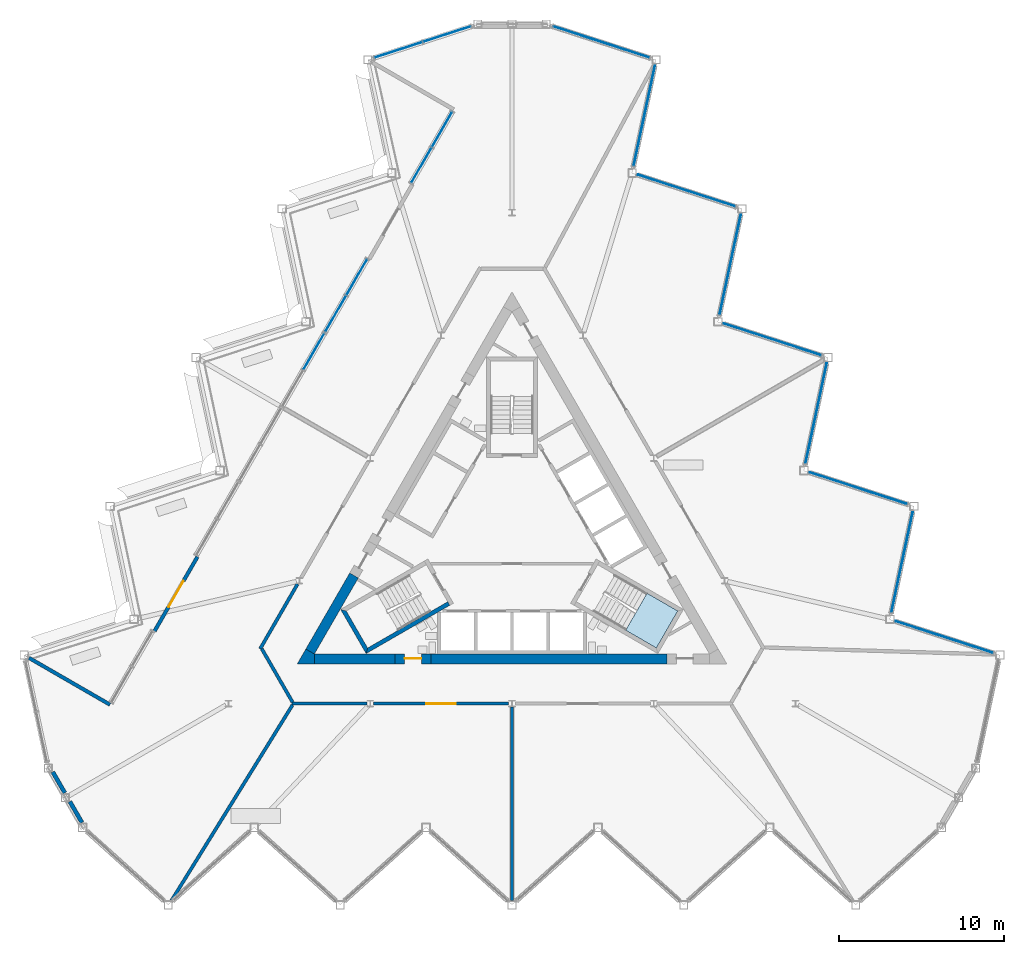
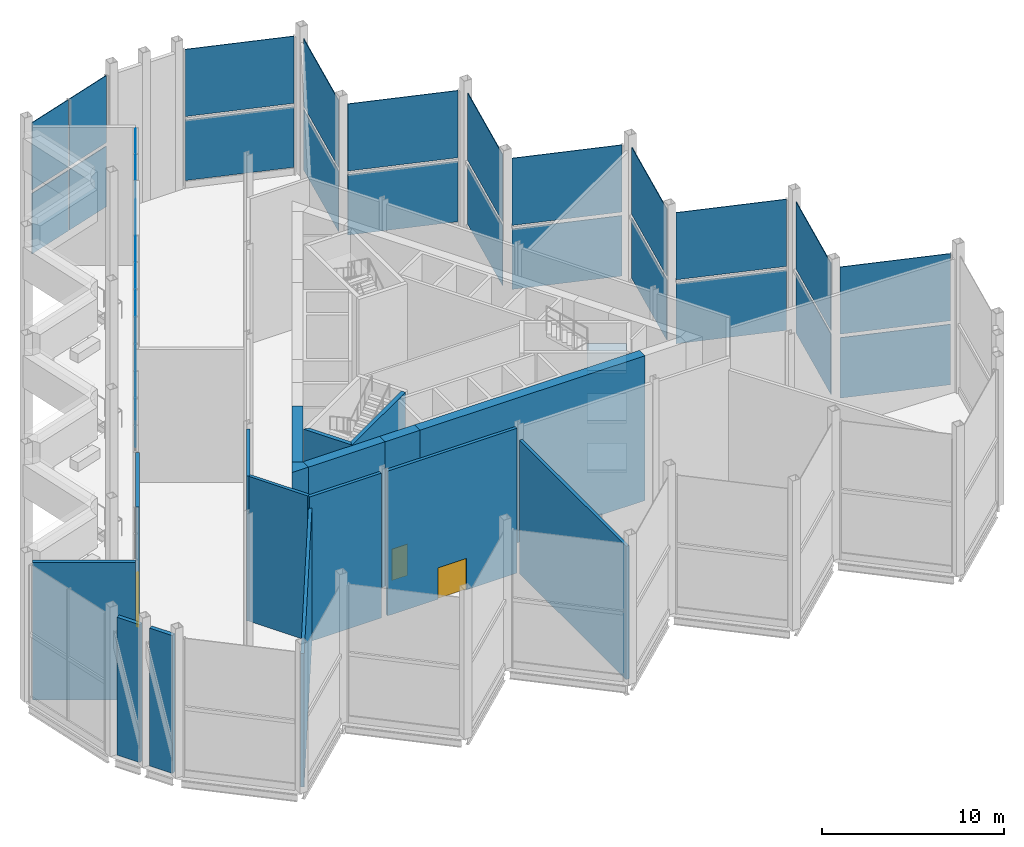
# One storey, part 8 of 18: 32 plates, 17 walls, 3 doors, 3 slabs, 3 openings, 6 elements without a shape of their own.
"""IFC4 building model written with IfcOpenShell, lengths in metres."""

from ifc_helpers import new_model, si_unit, direction, frame, frame_2d, origin, origin_2d, place, context, subcontext, project, spatial, polyline, rectangle, outline, extrude, material, layer, layer_set, type_object, element, fill, aggregate, save


model = new_model("IFC4")

# Units and contexts
model_context = context("Model", 3, precision=1e-05, world=origin(), true_north=direction((0.0, 1.0)))
body_context = subcontext(model_context, "Body", "Model", "MODEL_VIEW")
ifc_project = project(units=[si_unit("LENGTHUNIT", "METRE"), si_unit("AREAUNIT", "SQUARE_METRE"), si_unit("VOLUMEUNIT", "CUBIC_METRE"), si_unit("PLANEANGLEUNIT", "RADIAN"), si_unit("MASSUNIT", "GRAM", prefix="KILO")], contexts=[model_context])

# Site, building, storey
site_placement = place(None, origin())
site = spatial("IfcSite", under=ifc_project, at=site_placement, CompositionType="ELEMENT")
building_placement = place(site_placement, origin())
building = spatial("IfcBuilding", under=site, at=building_placement, Name="Cormorant Prow Tower", CompositionType="ELEMENT")
storey_placement = place(building_placement, frame((0.0, 0.0, 405.199951171875)))
storey = spatial("IfcBuildingStorey", under=building, at=storey_placement, Name="L93", CompositionType="ELEMENT", Elevation=405.199951171875)

# Curtain wall, plates
ifc_material_1 = material(Name="Aluminium 6063-T6", Category="aluminium")
ifc_layer_1 = layer(ifc_material_1, 0.300048828125)
ifc_layer_set_1 = layer_set([ifc_layer_1], Name="Aluminium 6063-T6")
curtain_wall_type = type_object("IfcCurtainWallType", Name="Sky lobby unitised curtain wall 300", PredefinedType="NOTDEFINED", material=ifc_layer_set_1)
curtain_wall_1_placement = place(storey_placement, origin())
curtain_wall_1 = element("IfcCurtainWall", 1, at=curtain_wall_1_placement, inside=storey, type_object=curtain_wall_type, Name="Sky lobby curtain wall ENE00-ENE09", PredefinedType="NOTDEFINED")
ifc_material_2 = material(Name="Clear glass", Category="glass")
ifc_layer_2 = layer(ifc_material_2, 0.0439453125)
ifc_layer_set_2 = layer_set([ifc_layer_2], Name="Clear glass")
plate_type = type_object("IfcPlateType", Name="Sky lobby glass panel 44", PredefinedType="CURTAIN_PANEL", material=ifc_layer_set_2)
plate_1_placement = place(storey_placement, frame((26.1630859375, -5.8759765625, 0.4501953125), z_axis=(0.0, 0.0, 1.0), x_axis=(-0.951056534902, 0.309016937108, 0.0)))
plate_1 = element("IfcPlate", 2, at=plate_1_placement, type_object=plate_type, Name="Sky lobby glass panel ENE00-ENE09", PredefinedType="CURTAIN_PANEL", context=body_context, shape_type="SweptSolid", body=[
    extrude(rectangle(XDim=6.185302734375, YDim=0.0439453125, at=origin_2d()), origin(), (0.0, 0.0, 1.0), 4.047119140625),
])
plate_2_placement = place(storey_placement, frame((26.1630859375, -5.8759765625, 4.7373046875), z_axis=(0.0, 0.0, 1.0), x_axis=(-0.951056534902, 0.309016937108, 0.0)))
plate_2 = element("IfcPlate", 3, at=plate_2_placement, type_object=plate_type, Name="Sky lobby glass panel ENE00-ENE09", PredefinedType="CURTAIN_PANEL", context=body_context, shape_type="SweptSolid", body=[
    extrude(rectangle(XDim=6.185302734375, YDim=0.0439453125, at=origin_2d()), origin(), (0.0, 0.0, 1.0), 4.496826171875),
])
plate_3_placement = place(storey_placement, frame((23.609619140625, -1.345703125, 0.4501953125), z_axis=(0.0, 0.0, 1.0), x_axis=(0.207911620089, 0.978147615768, 0.0)))
plate_3 = element("IfcPlate", 4, at=plate_3_placement, type_object=plate_type, Name="Sky lobby glass panel ENE00-ENE09", PredefinedType="CURTAIN_PANEL", context=body_context, shape_type="SweptSolid", body=[
    extrude(rectangle(XDim=6.185302734375, YDim=0.0439453125, at=origin_2d()), origin(), (0.0, 0.0, 1.0), 4.047119140625),
])
plate_4_placement = place(storey_placement, frame((23.609619140625, -1.345703125, 4.7373046875), z_axis=(0.0, 0.0, 1.0), x_axis=(0.207911620089, 0.978147615768, 0.0)))
plate_4 = element("IfcPlate", 5, at=plate_4_placement, type_object=plate_type, Name="Sky lobby glass panel ENE00-ENE09", PredefinedType="CURTAIN_PANEL", context=body_context, shape_type="SweptSolid", body=[
    extrude(rectangle(XDim=6.185302734375, YDim=0.0439453125, at=origin_2d()), origin(), (0.0, 0.0, 1.0), 4.496826171875),
])
plate_5_placement = place(storey_placement, frame((20.963134765625, 3.130859375, 0.4501953125), z_axis=(0.0, 0.0, 1.0), x_axis=(-0.951056492904, 0.309017066365, 0.0)))
plate_5 = element("IfcPlate", 6, at=plate_5_placement, type_object=plate_type, Name="Sky lobby glass panel ENE00-ENE09", PredefinedType="CURTAIN_PANEL", context=body_context, shape_type="SweptSolid", body=[
    extrude(rectangle(XDim=6.185302734375, YDim=0.0439453125, at=origin_2d()), origin(), (0.0, 0.0, 1.0), 4.047119140625),
])
plate_6_placement = place(storey_placement, frame((20.963134765625, 3.130859375, 4.7373046875), z_axis=(0.0, 0.0, 1.0), x_axis=(-0.951056492904, 0.309017066365, 0.0)))
plate_6 = element("IfcPlate", 7, at=plate_6_placement, type_object=plate_type, Name="Sky lobby glass panel ENE00-ENE09", PredefinedType="CURTAIN_PANEL", context=body_context, shape_type="SweptSolid", body=[
    extrude(rectangle(XDim=6.185302734375, YDim=0.0439453125, at=origin_2d()), origin(), (0.0, 0.0, 1.0), 4.496826171875),
])
plate_7_placement = place(storey_placement, frame((18.409423828125, 7.660888671875, 0.4501953125), z_axis=(0.0, 0.0, 1.0), x_axis=(0.207911649162, 0.978147609588, 0.0)))
plate_7 = element("IfcPlate", 8, at=plate_7_placement, type_object=plate_type, Name="Sky lobby glass panel ENE00-ENE09", PredefinedType="CURTAIN_PANEL", context=body_context, shape_type="SweptSolid", body=[
    extrude(rectangle(XDim=6.185302734375, YDim=0.0439453125, at=origin_2d()), origin(), (0.0, 0.0, 1.0), 4.047119140625),
])
plate_8_placement = place(storey_placement, frame((18.409423828125, 7.660888671875, 4.7373046875), z_axis=(0.0, 0.0, 1.0), x_axis=(0.207911649162, 0.978147609588, 0.0)))
plate_8 = element("IfcPlate", 9, at=plate_8_placement, type_object=plate_type, Name="Sky lobby glass panel ENE00-ENE09", PredefinedType="CURTAIN_PANEL", context=body_context, shape_type="SweptSolid", body=[
    extrude(rectangle(XDim=6.185302734375, YDim=0.0439453125, at=origin_2d()), origin(), (0.0, 0.0, 1.0), 4.496826171875),
])
plate_9_placement = place(storey_placement, frame((15.76318359375, 12.137451171875, 0.4501953125), z_axis=(0.0, 0.0, 1.0), x_axis=(-0.951056492904, 0.309017066365, 0.0)))
plate_9 = element("IfcPlate", 10, at=plate_9_placement, type_object=plate_type, Name="Sky lobby glass panel ENE00-ENE09", PredefinedType="CURTAIN_PANEL", context=body_context, shape_type="SweptSolid", body=[
    extrude(rectangle(XDim=6.185302734375, YDim=0.0439453125, at=origin_2d()), origin(), (0.0, 0.0, 1.0), 4.047119140625),
])
plate_10_placement = place(storey_placement, frame((15.76318359375, 12.137451171875, 4.7373046875), z_axis=(0.0, 0.0, 1.0), x_axis=(-0.951056492904, 0.309017066365, 0.0)))
plate_10 = element("IfcPlate", 11, at=plate_10_placement, type_object=plate_type, Name="Sky lobby glass panel ENE00-ENE09", PredefinedType="CURTAIN_PANEL", context=body_context, shape_type="SweptSolid", body=[
    extrude(rectangle(XDim=6.185302734375, YDim=0.0439453125, at=origin_2d()), origin(), (0.0, 0.0, 1.0), 4.496826171875),
])
plate_11_placement = place(storey_placement, frame((13.20947265625, 16.66748046875, 0.4501953125), z_axis=(0.0, 0.0, 1.0), x_axis=(0.207911620089, 0.978147615768, 0.0)))
plate_11 = element("IfcPlate", 12, at=plate_11_placement, type_object=plate_type, Name="Sky lobby glass panel ENE00-ENE09", PredefinedType="CURTAIN_PANEL", context=body_context, shape_type="SweptSolid", body=[
    extrude(rectangle(XDim=6.185302734375, YDim=0.0439453125, at=origin_2d()), origin(), (0.0, 0.0, 1.0), 4.047119140625),
])
plate_12_placement = place(storey_placement, frame((13.20947265625, 16.66748046875, 4.7373046875), z_axis=(0.0, 0.0, 1.0), x_axis=(0.207911620089, 0.978147615768, 0.0)))
plate_12 = element("IfcPlate", 13, at=plate_12_placement, type_object=plate_type, Name="Sky lobby glass panel ENE00-ENE09", PredefinedType="CURTAIN_PANEL", context=body_context, shape_type="SweptSolid", body=[
    extrude(rectangle(XDim=6.185302734375, YDim=0.0439453125, at=origin_2d()), origin(), (0.0, 0.0, 1.0), 4.496826171875),
])
plate_13_placement = place(storey_placement, frame((10.563232421875, 21.14404296875, 0.4501953125), z_axis=(0.0, 0.0, 1.0), x_axis=(-0.951056534902, 0.309016937108, 0.0)))
plate_13 = element("IfcPlate", 14, at=plate_13_placement, type_object=plate_type, Name="Sky lobby glass panel ENE00-ENE09", PredefinedType="CURTAIN_PANEL", context=body_context, shape_type="SweptSolid", body=[
    extrude(rectangle(XDim=6.185302734375, YDim=0.0439453125, at=origin_2d()), origin(), (0.0, 0.0, 1.0), 4.047119140625),
])
plate_14_placement = place(storey_placement, frame((10.563232421875, 21.14404296875, 4.7373046875), z_axis=(0.0, 0.0, 1.0), x_axis=(-0.951056534902, 0.309016937108, 0.0)))
plate_14 = element("IfcPlate", 15, at=plate_14_placement, type_object=plate_type, Name="Sky lobby glass panel ENE00-ENE09", PredefinedType="CURTAIN_PANEL", context=body_context, shape_type="SweptSolid", body=[
    extrude(rectangle(XDim=6.185302734375, YDim=0.0439453125, at=origin_2d()), origin(), (0.0, 0.0, 1.0), 4.496826171875),
])
plate_15_placement = place(storey_placement, frame((8.009521484375, 25.674072265625, 0.4501953125), z_axis=(0.0, 0.0, 1.0), x_axis=(0.207911620089, 0.978147615768, 0.0)))
plate_15 = element("IfcPlate", 16, at=plate_15_placement, type_object=plate_type, Name="Sky lobby glass panel ENE00-ENE09", PredefinedType="CURTAIN_PANEL", context=body_context, shape_type="SweptSolid", body=[
    extrude(rectangle(XDim=6.185302734375, YDim=0.0439453125, at=origin_2d()), origin(), (0.0, 0.0, 1.0), 4.047119140625),
])
plate_16_placement = place(storey_placement, frame((8.009521484375, 25.674072265625, 4.7373046875), z_axis=(0.0, 0.0, 1.0), x_axis=(0.207911620089, 0.978147615768, 0.0)))
plate_16 = element("IfcPlate", 17, at=plate_16_placement, type_object=plate_type, Name="Sky lobby glass panel ENE00-ENE09", PredefinedType="CURTAIN_PANEL", context=body_context, shape_type="SweptSolid", body=[
    extrude(rectangle(XDim=6.185302734375, YDim=0.0439453125, at=origin_2d()), origin(), (0.0, 0.0, 1.0), 4.496826171875),
])
plate_17_placement = place(storey_placement, frame((5.401123046875, 30.138427734375, 0.4501953125), z_axis=(0.0, 0.0, 1.0), x_axis=(-0.951056492904, 0.309017066365, 0.0)))
plate_17 = element("IfcPlate", 18, at=plate_17_placement, type_object=plate_type, Name="Sky lobby glass panel ENE00-ENE09", PredefinedType="CURTAIN_PANEL", context=body_context, shape_type="SweptSolid", body=[
    extrude(rectangle(XDim=6.105224609375, YDim=0.0439453125, at=origin_2d()), origin(), (0.0, 0.0, 1.0), 4.047119140625),
])
plate_18_placement = place(storey_placement, frame((5.401123046875, 30.138427734375, 4.7373046875), z_axis=(0.0, 0.0, 1.0), x_axis=(-0.951056492904, 0.309017066365, 0.0)))
plate_18 = element("IfcPlate", 19, at=plate_18_placement, type_object=plate_type, Name="Sky lobby glass panel ENE00-ENE09", PredefinedType="CURTAIN_PANEL", context=body_context, shape_type="SweptSolid", body=[
    extrude(rectangle(XDim=6.105224609375, YDim=0.0439453125, at=origin_2d()), origin(), (0.0, 0.0, 1.0), 4.496826171875),
])
aggregate(curtain_wall_1, [plate_1, plate_2, plate_3, plate_4, plate_5, plate_6, plate_7, plate_8, plate_9, plate_10, plate_11, plate_12, plate_13, plate_14, plate_15, plate_16, plate_17, plate_18])

curtain_wall_2_placement = place(storey_placement, origin())
curtain_wall_2 = element("IfcCurtainWall", 20, at=curtain_wall_2_placement, inside=storey, type_object=curtain_wall_type, Name="Sky lobby curtain wall WNW00", PredefinedType="NOTDEFINED")
plate_19_placement = place(storey_placement, frame((-3.9306640625, 30.6162109375, 0.4501953125), z_axis=(0.0, 0.0, 1.0), x_axis=(-0.951056492904, -0.309017066365, 0.0)))
plate_19 = element("IfcPlate", 21, at=plate_19_placement, type_object=plate_type, Name="Sky lobby glass panel WNW00", PredefinedType="CURTAIN_PANEL", context=body_context, shape_type="SweptSolid", body=[
    extrude(rectangle(XDim=3.0126953125, YDim=0.0439453125, at=origin_2d()), origin(), (0.0, 0.0, 1.0), 4.047119140625),
])
plate_20_placement = place(storey_placement, frame((-6.871826171875, 29.66064453125, 0.4501953125), z_axis=(0.0, 0.0, 1.0), x_axis=(-0.951056492904, -0.309017066365, 0.0)))
plate_20 = element("IfcPlate", 22, at=plate_20_placement, type_object=plate_type, Name="Sky lobby glass panel WNW00", PredefinedType="CURTAIN_PANEL", context=body_context, shape_type="SweptSolid", body=[
    extrude(rectangle(XDim=3.0126953125, YDim=0.0439453125, at=origin_2d()), origin(), (0.0, 0.0, 1.0), 4.047119140625),
])
plate_21_placement = place(storey_placement, frame((-3.9306640625, 30.6162109375, 4.7373046875), z_axis=(0.0, 0.0, 1.0), x_axis=(-0.951056492904, -0.309017066365, 0.0)))
plate_21 = element("IfcPlate", 23, at=plate_21_placement, type_object=plate_type, Name="Sky lobby glass panel WNW00", PredefinedType="CURTAIN_PANEL", context=body_context, shape_type="SweptSolid", body=[
    extrude(rectangle(XDim=3.0126953125, YDim=0.0439453125, at=origin_2d()), origin(), (0.0, 0.0, 1.0), 4.496826171875),
])
plate_22_placement = place(storey_placement, frame((-6.871826171875, 29.66064453125, 4.7373046875), z_axis=(0.0, 0.0, 1.0), x_axis=(-0.951056492904, -0.309017066365, 0.0)))
plate_22 = element("IfcPlate", 24, at=plate_22_placement, type_object=plate_type, Name="Sky lobby glass panel WNW00", PredefinedType="CURTAIN_PANEL", context=body_context, shape_type="SweptSolid", body=[
    extrude(rectangle(XDim=3.0126953125, YDim=0.0439453125, at=origin_2d()), origin(), (0.0, 0.0, 1.0), 4.496826171875),
])
aggregate(curtain_wall_2, [plate_19, plate_20, plate_21, plate_22])

curtain_wall_3_placement = place(storey_placement, origin())
curtain_wall_3 = element("IfcCurtainWall", 25, at=curtain_wall_3_placement, inside=storey, type_object=curtain_wall_type, Name="Sky lobby curtain wall loggia WNW01", PredefinedType="NOTDEFINED")
plate_23_placement = place(storey_placement, frame((-4.233642578125, 24.842529296875, 0.4501953125), z_axis=(0.0, 0.0, 1.0), x_axis=(-0.499999991641, -0.86602540861, 0.0)))
plate_23 = element("IfcPlate", 26, at=plate_23_placement, type_object=plate_type, Name="Sky lobby glass panel loggia WNW01", PredefinedType="CURTAIN_PANEL", context=body_context, shape_type="SweptSolid", body=[
    extrude(rectangle(XDim=2.425048828125, YDim=0.0439453125, at=origin_2d()), origin(), (0.0, 0.0, 1.0), 4.047119140625),
])
plate_24_placement = place(storey_placement, frame((-5.486328125, 22.67333984375, 0.4501953125), z_axis=(0.0, 0.0, 1.0), x_axis=(-0.499999991641, -0.86602540861, 0.0)))
plate_24 = element("IfcPlate", 27, at=plate_24_placement, type_object=plate_type, Name="Sky lobby glass panel loggia WNW01", PredefinedType="CURTAIN_PANEL", context=body_context, shape_type="SweptSolid", body=[
    extrude(rectangle(XDim=2.425048828125, YDim=0.0439453125, at=origin_2d()), origin(), (0.0, 0.0, 1.0), 4.047119140625),
])
plate_25_placement = place(storey_placement, frame((-4.233642578125, 24.842529296875, 4.7373046875), z_axis=(0.0, 0.0, 1.0), x_axis=(-0.499999991641, -0.86602540861, 0.0)))
plate_25 = element("IfcPlate", 28, at=plate_25_placement, type_object=plate_type, Name="Sky lobby glass panel loggia WNW01", PredefinedType="CURTAIN_PANEL", context=body_context, shape_type="SweptSolid", body=[
    extrude(rectangle(XDim=2.425048828125, YDim=0.0439453125, at=origin_2d()), origin(), (0.0, 0.0, 1.0), 4.496826171875),
])
plate_26_placement = place(storey_placement, frame((-5.486328125, 22.67333984375, 4.7373046875), z_axis=(0.0, 0.0, 1.0), x_axis=(-0.499999991641, -0.86602540861, 0.0)))
plate_26 = element("IfcPlate", 29, at=plate_26_placement, type_object=plate_type, Name="Sky lobby glass panel loggia WNW01", PredefinedType="CURTAIN_PANEL", context=body_context, shape_type="SweptSolid", body=[
    extrude(rectangle(XDim=2.425048828125, YDim=0.0439453125, at=origin_2d()), origin(), (0.0, 0.0, 1.0), 4.496826171875),
])
aggregate(curtain_wall_3, [plate_23, plate_24, plate_25, plate_26])

curtain_wall_4_placement = place(storey_placement, origin())
curtain_wall_4 = element("IfcCurtainWall", 30, at=curtain_wall_4_placement, inside=storey, type_object=curtain_wall_type, Name="Sky lobby curtain wall loggia WNW03", PredefinedType="NOTDEFINED")
plate_27_placement = place(storey_placement, frame((-9.392578125, 15.907470703125, 0.4501953125), z_axis=(0.0, 0.0, 1.0), x_axis=(-0.499999991641, -0.86602540861, 0.0)))
plate_27 = element("IfcPlate", 31, at=plate_27_placement, type_object=plate_type, Name="Sky lobby glass panel loggia WNW03", PredefinedType="CURTAIN_PANEL", context=body_context, shape_type="SweptSolid", body=[
    extrude(rectangle(XDim=2.47998046875, YDim=0.0439453125, at=origin_2d()), origin(), (0.0, 0.0, 1.0), 4.047119140625),
])
plate_28_placement = place(storey_placement, frame((-10.67236328125, 13.6904296875, 0.4501953125), z_axis=(0.0, 0.0, 1.0), x_axis=(-0.499999991641, -0.86602540861, 0.0)))
plate_28 = element("IfcPlate", 32, at=plate_28_placement, type_object=plate_type, Name="Sky lobby glass panel loggia WNW03", PredefinedType="CURTAIN_PANEL", context=body_context, shape_type="SweptSolid", body=[
    extrude(rectangle(XDim=2.47998046875, YDim=0.0439453125, at=origin_2d()), origin(), (0.0, 0.0, 1.0), 4.047119140625),
])
plate_29_placement = place(storey_placement, frame((-9.392578125, 15.907470703125, 4.7373046875), z_axis=(0.0, 0.0, 1.0), x_axis=(-0.499999991641, -0.86602540861, 0.0)))
plate_29 = element("IfcPlate", 33, at=plate_29_placement, type_object=plate_type, Name="Sky lobby glass panel loggia WNW03", PredefinedType="CURTAIN_PANEL", context=body_context, shape_type="SweptSolid", body=[
    extrude(rectangle(XDim=2.47998046875, YDim=0.0439453125, at=origin_2d()), origin(), (0.0, 0.0, 1.0), 4.496826171875),
])
plate_30_placement = place(storey_placement, frame((-10.67236328125, 13.6904296875, 4.7373046875), z_axis=(0.0, 0.0, 1.0), x_axis=(-0.499999991641, -0.86602540861, 0.0)))
plate_30 = element("IfcPlate", 34, at=plate_30_placement, type_object=plate_type, Name="Sky lobby glass panel loggia WNW03", PredefinedType="CURTAIN_PANEL", context=body_context, shape_type="SweptSolid", body=[
    extrude(rectangle(XDim=2.47998046875, YDim=0.0439453125, at=origin_2d()), origin(), (0.0, 0.0, 1.0), 4.496826171875),
])
aggregate(curtain_wall_4, [plate_27, plate_28, plate_29, plate_30])

curtain_wall_5_placement = place(storey_placement, origin())
curtain_wall_5 = element("IfcCurtainWall", 35, at=curtain_wall_5_placement, inside=storey, type_object=curtain_wall_type, Name="Sky lobby curtain wall loggia WNW04", PredefinedType="NOTDEFINED")
plate_31_placement = place(storey_placement, frame((-11.992431640625, 11.404052734375, 0.4501953125), z_axis=(0.0, 0.0, 1.0), x_axis=(-0.499999991641, -0.86602540861, 0.0)))
plate_31 = element("IfcPlate", 36, at=plate_31_placement, type_object=plate_type, Name="Sky lobby glass panel loggia WNW04", PredefinedType="CURTAIN_PANEL", context=body_context, shape_type="SweptSolid", body=[
    extrude(rectangle(XDim=2.47998046875, YDim=0.0439453125, at=origin_2d()), origin(), (0.0, 0.0, 1.0), 4.047119140625),
])
plate_32_placement = place(storey_placement, frame((-11.992431640625, 11.404052734375, 4.7373046875), z_axis=(0.0, 0.0, 1.0), x_axis=(-0.499999991641, -0.86602540861, 0.0)))
plate_32 = element("IfcPlate", 37, at=plate_32_placement, type_object=plate_type, Name="Sky lobby glass panel loggia WNW04", PredefinedType="CURTAIN_PANEL", context=body_context, shape_type="SweptSolid", body=[
    extrude(rectangle(XDim=2.47998046875, YDim=0.0439453125, at=origin_2d()), origin(), (0.0, 0.0, 1.0), 4.496826171875),
])
aggregate(curtain_wall_5, [plate_31, plate_32])

# Stair, slabs
ifc_material_3 = material(Name="Exit stair 54 risers")
stair_type = type_object("IfcStairType", Name="Exit stair 54 risers", PredefinedType="HALF_TURN_STAIR", material=ifc_material_3)
stair_placement = place(storey_placement, origin())
stair = element("IfcStair", 38, at=stair_placement, inside=storey, type_object=stair_type, Name="L93 Exit stair ST2", PredefinedType="HALF_TURN_STAIR")
ifc_material_4 = material(Name="Concrete 5000 psi", Category="concrete")
ifc_layer_3 = layer(ifc_material_4, 0.199951171875)
ifc_layer_set_3 = layer_set([ifc_layer_3], Name="Concrete 5000 psi")
slab_type = type_object("IfcSlabType", Name="Stair landing 200", PredefinedType="LANDING", material=ifc_layer_set_3)
slab_1_placement = place(storey_placement, frame((0.0, 0.0, 1.466796875)))
slab_1 = element("IfcSlab", 39, at=slab_1_placement, type_object=slab_type, Name="ST2 landing 1", PredefinedType="LANDING", context=body_context, shape_type="SweptSolid", body=[
    extrude(outline(polyline([(6.88037109375, -5.466552734375), (8.738037109375, -6.5390625), (10.031982421875, -4.2978515625), (8.17431640625, -3.225341796875), (6.88037109375, -5.466552734375)])), origin(), (0.0, 0.0, 1.0), 0.199951171875),
])
slab_2_placement = place(storey_placement, frame((0.0, 0.0, 4.800048828125)))
slab_2 = element("IfcSlab", 40, at=slab_2_placement, type_object=slab_type, Name="ST2 landing 3", PredefinedType="LANDING", context=body_context, shape_type="SweptSolid", body=[
    extrude(outline(polyline([(6.88037109375, -5.466552734375), (8.738037109375, -6.5390625), (10.031982421875, -4.2978515625), (8.17431640625, -3.225341796875), (6.88037109375, -5.466552734375)])), origin(), (0.0, 0.0, 1.0), 0.199951171875),
])
slab_3_placement = place(storey_placement, frame((0.0, 0.0, 8.13330078125)))
slab_3 = element("IfcSlab", 41, at=slab_3_placement, type_object=slab_type, Name="ST2 landing 5", PredefinedType="LANDING", context=body_context, shape_type="SweptSolid", body=[
    extrude(outline(polyline([(6.88037109375, -5.466552734375), (8.738037109375, -6.5390625), (10.031982421875, -4.2978515625), (8.17431640625, -3.225341796875), (6.88037109375, -5.466552734375)])), origin(), (0.0, 0.0, 1.0), 0.2001953125),
])
aggregate(stair, [slab_1, slab_2, slab_3])

# Walls
ifc_material_5 = material(Name="Concrete 8000 psi", Category="concrete")
ifc_layer_4 = layer(ifc_material_5, 0.60009765625)
ifc_layer_set_4 = layer_set([ifc_layer_4], Name="Concrete 8000 psi")
wall_type_1 = type_object("IfcWallType", Name="Core shear wall 600", PredefinedType="SHEAR", material=ifc_layer_set_4)
wall_1_placement = place(storey_placement, frame((-4.89208984375, -7.20556640625, 0.0), z_axis=(0.0, 0.0, 1.0), x_axis=(1.0, 0.0, 0.0)))
element("IfcWall", 42, at=wall_1_placement, inside=storey, type_object=wall_type_1, Name="Core wall", PredefinedType="SHEAR", context=body_context, shape_type="SweptSolid", body=[
    extrude(rectangle(XDim=14.2607421875, YDim=0.60009765625, at=frame_2d((7.13037109375, 0.0))), origin(), (0.0, 0.0, 1.0), 9.699951171875),
])
wall_2_placement = place(storey_placement, frame((-11.960693359375, -7.20556640625, 0.0), z_axis=(0.0, 0.0, 1.0), x_axis=(1.0, 0.0, 0.0)))
element("IfcWall", 43, at=wall_2_placement, inside=storey, type_object=wall_type_1, Name="Core wall", PredefinedType="SHEAR", context=body_context, shape_type="SweptSolid", body=[
    extrude(rectangle(XDim=4.868408203125, YDim=0.60009765625, at=frame_2d((2.43408203125, 0.0))), origin(), (0.0, 0.0, 1.0), 9.699951171875),
])
wall_3_placement = place(storey_placement, frame((-9.561767578125, -2.150390625, 0.0), z_axis=(0.0, 0.0, 1.0), x_axis=(-0.500015214976, -0.866016619236, 0.0)))
element("IfcWall", 44, at=wall_3_placement, inside=storey, type_object=wall_type_1, Name="Core wall", PredefinedType="SHEAR", context=body_context, shape_type="SweptSolid", body=[
    extrude(rectangle(XDim=5.317626953125, YDim=0.60009765625, at=frame_2d((2.65869140625, 0.0))), origin(), (0.0, 0.0, 1.0), 9.699951171875),
])
wall_4_placement = place(storey_placement, origin())
element("IfcWall", 45, at=wall_4_placement, inside=storey, type_object=wall_type_1, Name="Core wall corner", PredefinedType="SHEAR", context=body_context, shape_type="SweptSolid", body=[
    extrude(outline(polyline([(-12.48046875, -6.605712890625), (-11.960693359375, -6.905517578125), (-11.960693359375, -7.505615234375), (-13.0, -7.505615234375), (-12.48046875, -6.605712890625)])), origin(), (0.0, 0.0, 1.0), 9.699951171875),
])

# Wall, opening, door
wall_5_placement = place(storey_placement, frame((-7.09228515625, -7.20556640625, 0.0), z_axis=(0.0, 0.0, 1.0), x_axis=(1.0, 0.0, 0.0)))
wall_5 = element("IfcWall", 46, at=wall_5_placement, inside=storey, type_object=wall_type_1, Name="Core wall door panel", PredefinedType="SHEAR", context=body_context, shape_type="SweptSolid", body=[
    extrude(rectangle(XDim=2.2001953125, YDim=0.60009765625, at=frame_2d((1.10009765625, 0.0))), origin(), (0.0, 0.0, 1.0), 9.699951171875),
])
opening_1_placement = place(wall_5_placement, frame((0.60009765625, 0.0, 0.0)))
opening_1 = element("IfcOpeningElement", 47, at=opening_1_placement, cuts=wall_5, Name="Opening L93-C16", PredefinedType="OPENING", context=body_context, shape_type="SweptSolid", body=[
    extrude(rectangle(XDim=1.0, YDim=2.10009765625, at=frame_2d((0.5, 1.050048828125))), frame((0.0, 0.31005859375, 0.0), z_axis=(0.0, -1.0, 0.0), x_axis=(1.0, 0.0, 0.0)), (0.0, 0.0, 1.0), 0.6201171875),
])
ifc_material_6 = material(Name="Painted steel", Category="steel")
door_type_1 = type_object("IfcDoorType", Name="Service door 1000x2100", OperationType="NOTDEFINED", PredefinedType="DOOR", material=ifc_material_6)
door_1_placement = place(opening_1_placement, origin())
door_1 = element("IfcDoor", 48, at=door_1_placement, inside=storey, type_object=door_type_1, Name="Core door, Toilets (women) L93", OperationType="SINGLE_SWING_LEFT", OverallHeight=2.10009765625, OverallWidth=1.0, PredefinedType="DOOR", context=body_context, shape_type="SweptSolid", body=[
    extrude(rectangle(XDim=1.0, YDim=2.10009765625, at=frame_2d((0.5, 1.050048828125))), frame((0.0, 0.05517578125, 0.0), z_axis=(0.0, -1.0, 0.0), x_axis=(1.0, 0.0, 0.0)), (0.0, 0.0, 1.0), 0.050048828125),
])
fill(opening_1, door_1)

ifc_material_7 = material(Name="Gypsum board corridor wall")
ifc_layer_5 = layer(ifc_material_7, 0.199951171875)
ifc_layer_set_5 = layer_set([ifc_layer_5], Name="Gypsum board corridor wall")
wall_type_2 = type_object("IfcWallType", Name="Corridor wall 200", PredefinedType="PARTITIONING", material=ifc_layer_set_5)
wall_6_placement = place(storey_placement, frame((-8.381591796875, -9.905517578125, 0.0), z_axis=(0.0, 0.0, 1.0), x_axis=(1.0, 0.0, 0.0)))
wall_6 = element("IfcWall", 49, at=wall_6_placement, inside=storey, type_object=wall_type_2, Name="Corridor wall", PredefinedType="PARTITIONING", context=body_context, shape_type="SweptSolid", body=[
    extrude(rectangle(XDim=8.1845703125, YDim=0.199951171875, at=frame_2d((4.09228515625, 0.0))), origin(), (0.0, 0.0, 1.0), 9.699951171875),
])
opening_2_placement = place(wall_6_placement, frame((3.192138671875, 0.0, 0.0)))
opening_2 = element("IfcOpeningElement", 50, at=opening_2_placement, cuts=wall_6, Name="Opening L93-F01", PredefinedType="OPENING", context=body_context, shape_type="SweptSolid", body=[
    extrude(rectangle(XDim=1.800048828125, YDim=2.10009765625, at=frame_2d((0.89990234375, 1.050048828125))), frame((0.0, 0.10986328125, 0.0), z_axis=(0.0, -1.0, 0.0), x_axis=(1.0, 0.0, 0.0)), (0.0, 0.0, 1.0), 0.219970703125),
])
ifc_material_8 = material(Name="Timber door leaf", Category="wood")
door_type_2 = type_object("IfcDoorType", Name="Double door 1800x2100", OperationType="DOUBLE_DOOR_SINGLE_SWING", PredefinedType="DOOR", material=ifc_material_8)
door_2_placement = place(opening_2_placement, origin())
door_2 = element("IfcDoor", 51, at=door_2_placement, inside=storey, type_object=door_type_2, Name="Sky lobby door", OperationType="DOUBLE_DOOR_SINGLE_SWING", OverallHeight=2.10009765625, OverallWidth=1.800048828125, PredefinedType="DOOR", context=body_context, shape_type="SweptSolid", body=[
    extrude(rectangle(XDim=1.800048828125, YDim=2.10009765625, at=frame_2d((0.89990234375, 1.050048828125))), frame((0.0, 0.02490234375, 0.0), z_axis=(0.0, -1.0, 0.0), x_axis=(1.0, 0.0, 0.0)), (0.0, 0.0, 1.0), 0.050048828125),
])
fill(opening_2, door_2)

# Walls
wall_7_placement = place(storey_placement, frame((-13.330810546875, -9.905517578125, 0.0), z_axis=(0.0, 0.0, 1.0), x_axis=(1.0, 0.0, 0.0)))
element("IfcWall", 52, at=wall_7_placement, inside=storey, type_object=wall_type_2, Name="Corridor wall", PredefinedType="PARTITIONING", context=body_context, shape_type="SweptSolid", body=[
    extrude(rectangle(XDim=4.555419921875, YDim=0.199951171875, at=frame_2d((2.27783203125, 0.0))), origin(), (0.0, 0.0, 1.0), 9.699951171875),
])
wall_8_placement = place(storey_placement, frame((-15.243896484375, -6.59228515625, 0.0), z_axis=(0.0, 0.0, 1.0), x_axis=(0.499974648164, 0.866040040179, 0.0)))
element("IfcWall", 53, at=wall_8_placement, inside=storey, type_object=wall_type_2, Name="Corridor wall", PredefinedType="PARTITIONING", context=body_context, shape_type="SweptSolid", body=[
    extrude(rectangle(XDim=4.525146484375, YDim=0.199951171875, at=frame_2d((2.2626953125, 0.0))), origin(), (0.0, 0.0, 1.0), 9.699951171875),
])
wall_9_placement = place(storey_placement, frame((-15.143798828125, -6.59228515625, 0.0), z_axis=(0.0, 0.0, 1.0), x_axis=(0.499958791762, -0.866049194065, 0.0)))
element("IfcWall", 54, at=wall_9_placement, inside=storey, type_object=wall_type_2, Name="Corridor wall", PredefinedType="PARTITIONING", context=body_context, shape_type="SweptSolid", body=[
    extrude(rectangle(XDim=3.725830078125, YDim=0.199951171875, at=frame_2d((1.86279296875, 0.0))), origin(), (0.0, 0.0, 1.0), 9.699951171875),
])
ifc_material_9 = material(Name="Gypsum board demising wall")
ifc_layer_6 = layer(ifc_material_9, 0.199951171875)
ifc_layer_set_6 = layer_set([ifc_layer_6], Name="Gypsum board demising wall")
wall_type_3 = type_object("IfcWallType", Name="Demising wall 200", PredefinedType="PARTITIONING", material=ifc_layer_set_6)
wall_10_placement = place(storey_placement, frame((-20.608154296875, -21.827880859375, 0.0), z_axis=(0.0, 0.0, 1.0), x_axis=(0.526187960676, 0.850368290825, 0.0)))
element("IfcWall", 55, at=wall_10_placement, inside=storey, type_object=wall_type_3, Name="Demising wall", PredefinedType="PARTITIONING", context=body_context, shape_type="SweptSolid", body=[
    extrude(rectangle(XDim=13.92041015625, YDim=0.199951171875, at=frame_2d((6.960205078125, 0.0))), origin(), (0.0, 0.0, 1.0), 8.93017578125),
])
wall_11_placement = place(storey_placement, frame((0.0, -21.827880859375, 0.0), z_axis=(0.0, 0.0, 1.0), x_axis=(0.0, 1.0, 0.0)))
element("IfcWall", 56, at=wall_11_placement, inside=storey, type_object=wall_type_3, Name="Demising wall", PredefinedType="PARTITIONING", context=body_context, shape_type="SweptSolid", body=[
    extrude(rectangle(XDim=11.725341796875, YDim=0.199951171875, at=frame_2d((5.86279296875, 0.0))), origin(), (0.0, 0.0, 1.0), 8.93017578125),
])
ifc_material_10 = material(Name="Concrete 8000 psi", Category="concrete")
ifc_layer_7 = layer(ifc_material_10, 0.25)
ifc_layer_set_7 = layer_set([ifc_layer_7], Name="Concrete 8000 psi")
wall_type_4 = type_object("IfcWallType", Name="Stair wall 250", PredefinedType="SHEAR", material=ifc_layer_set_7)
wall_12_placement = place(storey_placement, origin())
element("IfcWall", 57, at=wall_12_placement, inside=storey, type_object=wall_type_4, Name="Stair ST1 enclosure wall (end)", PredefinedType="SHEAR", context=body_context, shape_type="SweptSolid", body=[
    extrude(outline(polyline([(-10.37353515625, -4.206298828125), (-8.82958984375, -6.880615234375), (-8.738037109375, -6.5390625), (-10.031982421875, -4.2978515625), (-10.37353515625, -4.206298828125)])), origin(), (0.0, 0.0, 1.0), 9.699951171875),
])
wall_13_placement = place(storey_placement, origin())
element("IfcWall", 58, at=wall_13_placement, inside=storey, type_object=wall_type_4, Name="Stair ST1 enclosure wall (flank)", PredefinedType="SHEAR", context=body_context, shape_type="SweptSolid", body=[
    extrude(outline(polyline([(-8.738037109375, -6.5390625), (-8.82958984375, -6.880615234375), (-3.76318359375, -3.95556640625), (-3.88818359375, -3.739013671875), (-8.738037109375, -6.5390625)])), origin(), (0.0, 0.0, 1.0), 9.699951171875),
])
ifc_material_11 = material(Name="Terracotta", Category="masonry")
ifc_layer_8 = layer(ifc_material_11, 0.25)
ifc_layer_set_8 = layer_set([ifc_layer_8], Name="Terracotta")
wall_type_5 = type_object("IfcWallType", Name="Terracotta bay wall 250", PredefinedType="SOLIDWALL", material=ifc_layer_set_8)
for number, where, z_axis, x_axis, name in (
    (59, (-27.799560546875, -14.038818359375, 0.0), (0.0, 0.0, 1.0), (0.500039236423, -0.86600274944, 0.0), "Terracotta bay wall WSW00"),
    (60, (-26.7626953125, -15.834716796875, 0.0), (0.0, 0.0, 1.0), (0.500039236423, -0.86600274944, 0.0), "Terracotta bay wall WSW01"),
):
    element("IfcWall", number, at=place(storey_placement, frame(where, z_axis=z_axis, x_axis=x_axis)), inside=storey, type_object=wall_type_5, Name=name, PredefinedType="SOLIDWALL", context=body_context, shape_type="SweptSolid", body=[
        extrude(rectangle(XDim=1.4677734375, YDim=0.25, at=frame_2d((0.73388671875, 0.0))), origin(), (0.0, 0.0, 1.0), 9.23388671875),
    ])

# Wall, opening, door
ifc_material_12 = material(Name="Terracotta", Category="masonry")
ifc_layer_9 = layer(ifc_material_12, 0.219970703125)
ifc_layer_set_9 = layer_set([ifc_layer_9], Name="Terracotta")
wall_type_6 = type_object("IfcWallType", Name="Terracotta loggia wall 220", PredefinedType="SOLIDWALL", material=ifc_layer_set_9)
wall_14_placement = place(storey_placement, frame((-19.037109375, -1.017822265625, 0.0), z_axis=(0.0, 0.0, 1.0), x_axis=(-0.500027264788, -0.866009661879, 0.0)))
wall_14 = element("IfcWall", 61, at=wall_14_placement, inside=storey, type_object=wall_type_6, Name="Terracotta loggia wall WNW07", PredefinedType="SOLIDWALL", context=body_context, shape_type="SweptSolid", body=[
    extrude(rectangle(XDim=5.199951171875, YDim=0.219970703125, at=frame_2d((2.60009765625, 0.0))), origin(), (0.0, 0.0, 1.0), 9.23388671875),
])
opening_3_placement = place(wall_14_placement, frame((1.699951171875, 0.0, 0.0)))
opening_3 = element("IfcOpeningElement", 62, at=opening_3_placement, cuts=wall_14, Name="Opening ED93.02", PredefinedType="OPENING", context=body_context, shape_type="SweptSolid", body=[
    extrude(rectangle(XDim=1.800048828125, YDim=2.39990234375, at=frame_2d((0.89990234375, 1.199951171875))), frame((0.0, 0.119873046875, 0.0), z_axis=(0.0, -1.0, 0.0), x_axis=(1.0, 0.0, 0.0)), (0.0, 0.0, 1.0), 0.239990234375),
])
ifc_material_13 = material(Name="Aluminium 6063-T6", Category="aluminium")
door_type_3 = type_object("IfcDoorType", Name="Terrace door 1800x2400", OperationType="DOUBLE_DOOR_SINGLE_SWING", PredefinedType="DOOR", material=ifc_material_13)
door_3_placement = place(opening_3_placement, origin())
door_3 = element("IfcDoor", 63, at=door_3_placement, inside=storey, type_object=door_type_3, Name="Terrace door WNW07 ED93.02", OperationType="DOUBLE_DOOR_SINGLE_SWING", OverallHeight=2.39990234375, OverallWidth=1.800048828125, PredefinedType="DOOR", context=body_context, shape_type="SweptSolid", body=[
    extrude(rectangle(XDim=1.800048828125, YDim=2.39990234375, at=frame_2d((0.89990234375, 1.199951171875))), frame((0.0, 0.02490234375, 0.0), z_axis=(0.0, -1.0, 0.0), x_axis=(1.0, 0.0, 0.0)), (0.0, 0.0, 1.0), 0.050048828125),
])
fill(opening_3, door_3)

# Wall
wall_15_placement = place(storey_placement, frame((-29.234619140625, -7.13916015625, 0.0), z_axis=(0.0, 0.0, 1.0), x_axis=(0.866018233111, -0.500012419765, 0.0)))
element("IfcWall", 64, at=wall_15_placement, inside=storey, type_object=wall_type_6, Name="Terracotta loggia return WNW east", PredefinedType="SOLIDWALL", context=body_context, shape_type="SweptSolid", body=[
    extrude(rectangle(XDim=5.660400390625, YDim=0.219970703125, at=frame_2d((2.830078125, 0.0))), origin(), (0.0, 0.0, 1.0), 9.23388671875),
])

save(model, "model.ifc")
